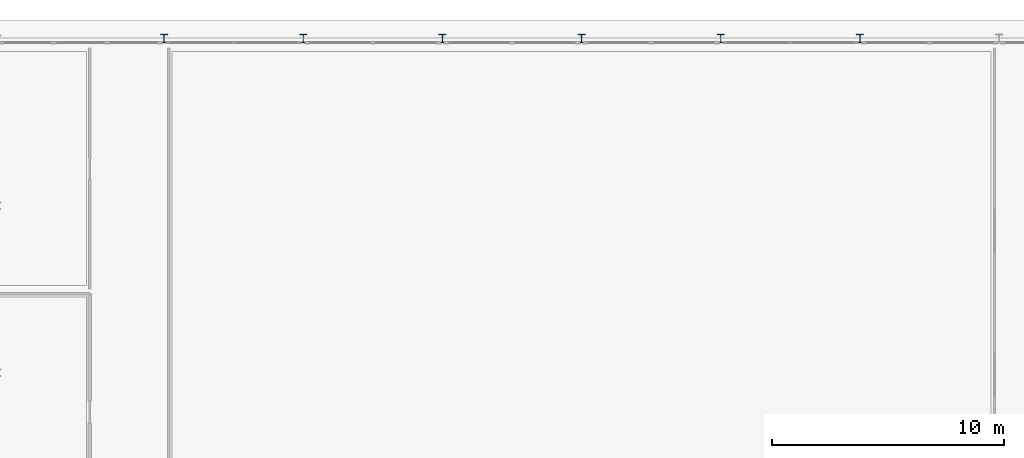
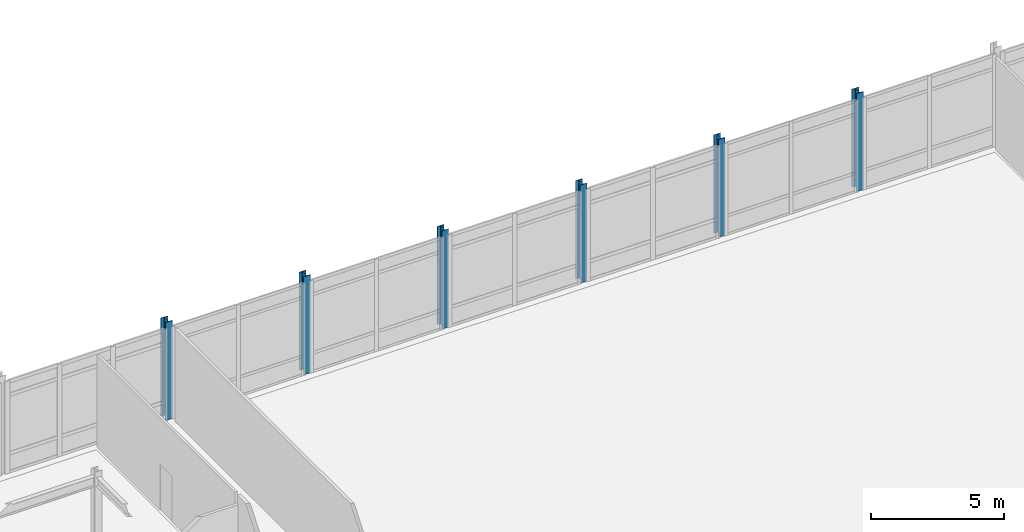
# One storey, part 7 of 58: 6 columns.
"""IFC4 building model written with IfcOpenShell, lengths in metres."""

from ifc_helpers import new_model, si_unit, direction, frame, origin, origin_2d, place, context, subcontext, project, spatial, i_section, extrude, material, material_profile, profile_set, type_object, element, save


model = new_model("IFC4")

# Units and contexts
model_context = context("Model", 3, precision=1e-05, world=origin(), true_north=direction((0.0, 1.0)))
body_context = subcontext(model_context, "Body", "Model", "MODEL_VIEW")
ifc_project = project(units=[si_unit("LENGTHUNIT", "METRE"), si_unit("AREAUNIT", "SQUARE_METRE"), si_unit("VOLUMEUNIT", "CUBIC_METRE"), si_unit("PLANEANGLEUNIT", "RADIAN"), si_unit("MASSUNIT", "GRAM", prefix="KILO")], contexts=[model_context])

# Site, building, storey
site_placement = place(None, origin())
site = spatial("IfcSite", under=ifc_project, at=site_placement, CompositionType="ELEMENT")
building_placement = place(site_placement, origin())
building = spatial("IfcBuilding", under=site, at=building_placement, Name="Brisavento Harbour Community Centre", CompositionType="ELEMENT")
storey_placement = place(building_placement, origin())
storey = spatial("IfcBuildingStorey", under=building, at=storey_placement, Name="L00", CompositionType="ELEMENT", Elevation=0.0)

# Columns
ifc_material = material(Name="Steel S355", Category="steel")
ifc_material_profile = material_profile(ifc_material, i_section(OverallWidth=0.300048828125, OverallDepth=0.360107421875, WebThickness=0.012451171875, FlangeThickness=0.0224609375, FilletRadius=0.027099609375, at=origin_2d()), Name="Steel S355")
ifc_profile_set = profile_set([ifc_material_profile], Name="Steel S355")
column_type = type_object("IfcColumnType", Name="COL-STL-HEB360", PredefinedType="COLUMN", material=ifc_profile_set)
for number, where, z_axis, x_axis, name in (
    (1, (129.60009765625, 115.199951171875, 0.0), (0.0, 0.0, 1.0), (1.0, 0.0, 0.0), "L00 column V4TN-1"),
    (2, (135.60009765625, 115.199951171875, 0.0), (0.0, 0.0, 1.0), (1.0, 0.0, 0.0), "L00 column V4TN-2"),
    (3, (141.60009765625, 115.199951171875, 0.0), (0.0, 0.0, 1.0), (1.0, 0.0, 0.0), "L00 column V4TN-3"),
    (4, (147.60009765625, 115.199951171875, 0.0), (0.0, 0.0, 1.0), (1.0, 0.0, 0.0), "L00 column V4TN-4"),
    (5, (153.60009765625, 115.199951171875, 0.0), (0.0, 0.0, 1.0), (1.0, 0.0, 0.0), "L00 column V4TN-5"),
    (6, (159.60009765625, 115.199951171875, 0.0), (0.0, 0.0, 1.0), (1.0, 0.0, 0.0), "L00 column V4TN-6"),
):
    element("IfcColumn", number, at=place(storey_placement, frame(where, z_axis=z_axis, x_axis=x_axis)), inside=storey, type_object=column_type, Name=name, PredefinedType="COLUMN", context=body_context, shape_type="SweptSolid", body=[
        extrude(i_section(OverallWidth=0.300048828125, OverallDepth=0.360107421875, WebThickness=0.012451171875, FlangeThickness=0.0224609375, FilletRadius=0.027099609375, at=origin_2d()), origin(), (0.0, 0.0, 1.0), 4.5),
    ])

save(model, "model.ifc")
